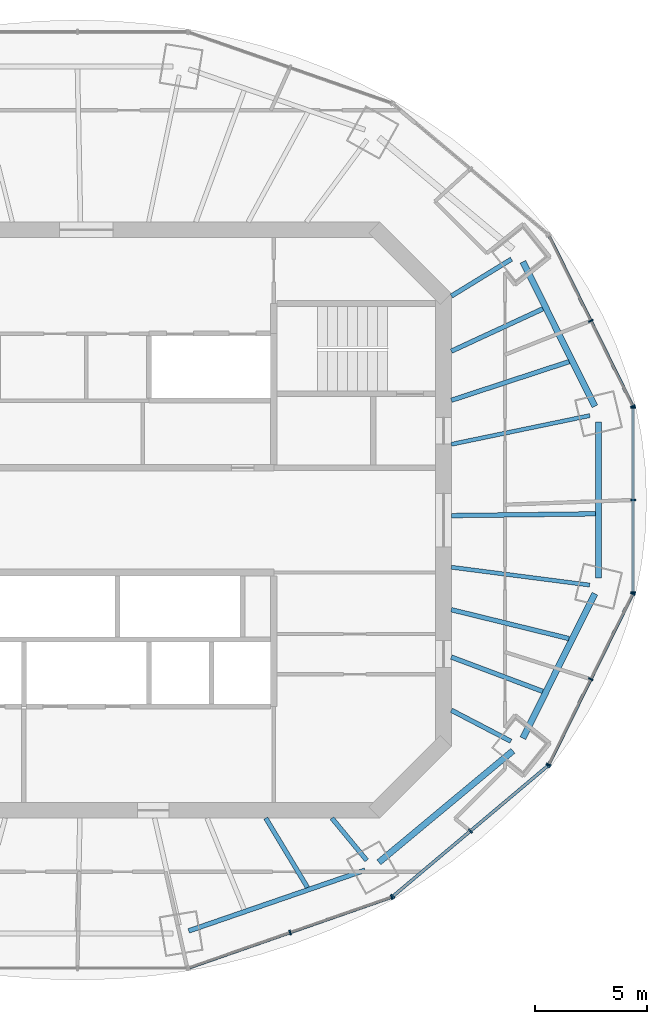
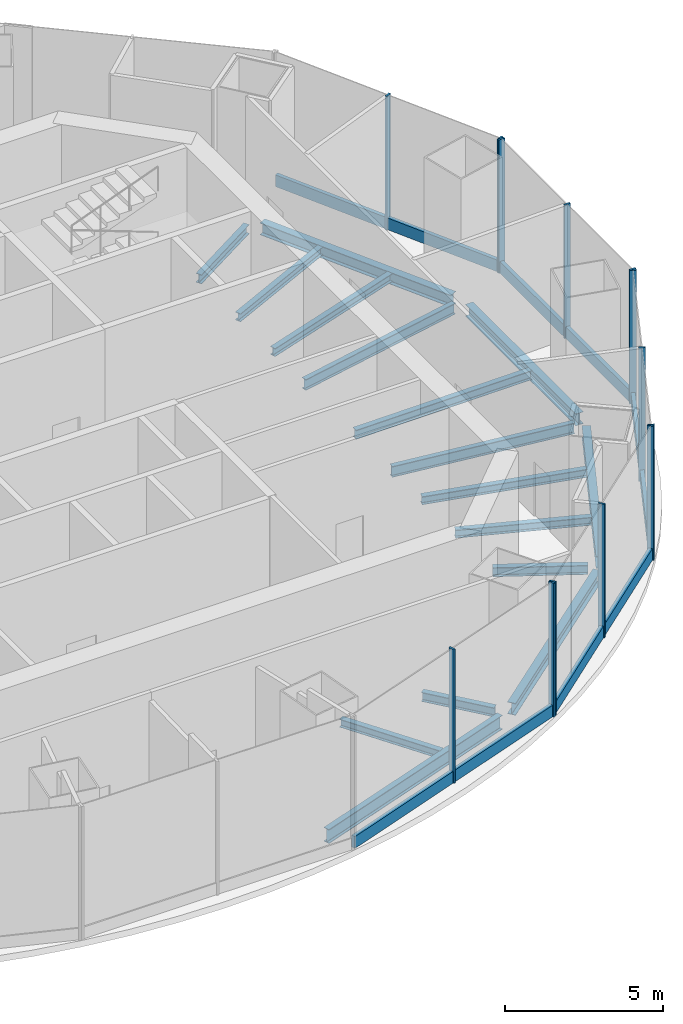
# One storey, part 4 of 11: 18 members, 16 beams, 5 elements without a shape of their own.
"""IFC4 building model written with IfcOpenShell, lengths in metres."""

from ifc_helpers import new_model, si_unit, direction, frame, origin, origin_2d, place, context, subcontext, project, spatial, rectangle, i_section, extrude, material, material_profile, profile_set, type_object, element, aggregate, save


model = new_model("IFC4")

# Units and contexts
model_context = context("Model", 3, precision=1e-05, world=origin(), true_north=direction((0.0, 1.0)))
body_context = subcontext(model_context, "Body", "Model", "MODEL_VIEW")
ifc_project = project(units=[si_unit("LENGTHUNIT", "METRE"), si_unit("AREAUNIT", "SQUARE_METRE"), si_unit("VOLUMEUNIT", "CUBIC_METRE"), si_unit("PLANEANGLEUNIT", "RADIAN"), si_unit("MASSUNIT", "GRAM", prefix="KILO")], contexts=[model_context])

# Site, building, storey
site_placement = place(None, origin())
site = spatial("IfcSite", under=ifc_project, at=site_placement, CompositionType="ELEMENT")
building_placement = place(site_placement, origin())
building = spatial("IfcBuilding", under=site, at=building_placement, Name="Marenthal Gate Tower", CompositionType="ELEMENT")
storey_placement = place(building_placement, frame((0.0, 0.0, 396.550048828125)))
storey = spatial("IfcBuildingStorey", under=building, at=storey_placement, Name="L90", CompositionType="ELEMENT", Elevation=396.550048828125)

# Curtain wall, members
ifc_material_1 = material(Name="Aluminium and glass", Category="aluminium")
curtain_wall_type = type_object("IfcCurtainWallType", Name="Curtain wall observation", PredefinedType="NOTDEFINED", material=ifc_material_1)
curtain_wall_1_placement = place(storey_placement, origin())
curtain_wall_1 = element("IfcCurtainWall", 1, at=curtain_wall_1_placement, inside=storey, type_object=curtain_wall_type, Name="Curtain wall L90 bay 1", PredefinedType="NOTDEFINED")
ifc_material_2 = material(Name="Aluminium", Category="aluminium")
ifc_material_profile_1 = material_profile(ifc_material_2, rectangle(XDim=0.219970703125, YDim=0.070068359375, at=origin_2d()), Name="70x220 aluminium mullion")
ifc_profile_set_1 = profile_set([ifc_material_profile_1], Name="Aluminium")
member_type_1 = type_object("IfcMemberType", Name="Mullion 70x220 observation", PredefinedType="MULLION", material=ifc_profile_set_1)
member_1_placement = place(storey_placement, frame((24.47900390625, 5.097900390625, 0.0), z_axis=(0.0, 0.0, 1.0), x_axis=(-0.897385793576, -0.441246798842, 0.0)))
member_1 = element("IfcMember", 2, at=member_1_placement, type_object=member_type_1, Name="Mullion L90 bay 1.1", PredefinedType="MULLION", context=body_context, shape_type="SweptSolid", body=[
    extrude(rectangle(XDim=0.219970703125, YDim=0.070068359375, at=origin_2d()), origin(), (0.0, 0.0, 1.0), 5.14990234375),
])
member_2_placement = place(storey_placement, frame((22.597412109375, 8.924560546875, 0.0), z_axis=(0.0, 0.0, 1.0), x_axis=(-0.897385793576, -0.441246798842, 0.0)))
member_2 = element("IfcMember", 3, at=member_2_placement, type_object=member_type_1, Name="Mullion L90 bay 1.2", PredefinedType="MULLION", context=body_context, shape_type="SweptSolid", body=[
    extrude(rectangle(XDim=0.219970703125, YDim=0.070068359375, at=origin_2d()), origin(), (0.0, 0.0, 1.0), 5.14990234375),
])

curtain_wall_2_placement = place(storey_placement, origin())
curtain_wall_2 = element("IfcCurtainWall", 4, at=curtain_wall_2_placement, inside=storey, type_object=curtain_wall_type, Name="Curtain wall L90 bay 13", PredefinedType="NOTDEFINED")
member_3_placement = place(storey_placement, frame((9.1259765625, -18.472900390625, 0.0), z_axis=(0.0, 0.0, 1.0), x_axis=(-0.329453888639, 0.944171666203, 0.0)))
member_3 = element("IfcMember", 5, at=member_3_placement, type_object=member_type_1, Name="Mullion L90 bay 13.2", PredefinedType="MULLION", context=body_context, shape_type="SweptSolid", body=[
    extrude(rectangle(XDim=0.219970703125, YDim=0.070068359375, at=origin_2d()), origin(), (0.0, 0.0, 1.0), 5.14990234375),
])
member_4_placement = place(storey_placement, frame((13.672119140625, -16.88671875, 0.0), z_axis=(0.0, 0.0, 1.0), x_axis=(-0.329453888639, 0.944171666203, 0.0)))
member_4 = element("IfcMember", 6, at=member_4_placement, type_object=member_type_1, Name="Mullion L90 bay 13.3", PredefinedType="MULLION", context=body_context, shape_type="SweptSolid", body=[
    extrude(rectangle(XDim=0.219970703125, YDim=0.070068359375, at=origin_2d()), origin(), (0.0, 0.0, 1.0), 5.14990234375),
])

curtain_wall_3_placement = place(storey_placement, origin())
curtain_wall_3 = element("IfcCurtainWall", 7, at=curtain_wall_3_placement, inside=storey, type_object=curtain_wall_type, Name="Curtain wall L90 bay 14", PredefinedType="NOTDEFINED")
member_5_placement = place(storey_placement, frame((13.723388671875, -16.857421875, 0.0), z_axis=(0.0, 0.0, 1.0), x_axis=(-0.644265226944, 0.764802142616, 0.0)))
member_5 = element("IfcMember", 8, at=member_5_placement, type_object=member_type_1, Name="Mullion L90 bay 14.1", PredefinedType="MULLION", context=body_context, shape_type="SweptSolid", body=[
    extrude(rectangle(XDim=0.219970703125, YDim=0.070068359375, at=origin_2d()), origin(), (0.0, 0.0, 1.0), 5.14990234375),
])
member_6_placement = place(storey_placement, frame((17.20166015625, -13.927490234375, 0.0), z_axis=(0.0, 0.0, 1.0), x_axis=(-0.644265226944, 0.764802142616, 0.0)))
member_6 = element("IfcMember", 9, at=member_6_placement, type_object=member_type_1, Name="Mullion L90 bay 14.2", PredefinedType="MULLION", context=body_context, shape_type="SweptSolid", body=[
    extrude(rectangle(XDim=0.219970703125, YDim=0.070068359375, at=origin_2d()), origin(), (0.0, 0.0, 1.0), 5.14990234375),
])
member_7_placement = place(storey_placement, frame((20.6796875, -10.997314453125, 0.0), z_axis=(0.0, 0.0, 1.0), x_axis=(-0.644265226944, 0.764802142616, 0.0)))
member_7 = element("IfcMember", 10, at=member_7_placement, type_object=member_type_1, Name="Mullion L90 bay 14.3", PredefinedType="MULLION", context=body_context, shape_type="SweptSolid", body=[
    extrude(rectangle(XDim=0.219970703125, YDim=0.070068359375, at=origin_2d()), origin(), (0.0, 0.0, 1.0), 5.14990234375),
])

curtain_wall_4_placement = place(storey_placement, origin())
curtain_wall_4 = element("IfcCurtainWall", 11, at=curtain_wall_4_placement, inside=storey, type_object=curtain_wall_type, Name="Curtain wall L90 bay 15", PredefinedType="NOTDEFINED")
member_8_placement = place(storey_placement, frame((20.7158203125, -10.951171875, 0.0), z_axis=(0.0, 0.0, 1.0), x_axis=(-0.897385793576, 0.441246798842, 0.0)))
member_8 = element("IfcMember", 12, at=member_8_placement, type_object=member_type_1, Name="Mullion L90 bay 15.1", PredefinedType="MULLION", context=body_context, shape_type="SweptSolid", body=[
    extrude(rectangle(XDim=0.219970703125, YDim=0.070068359375, at=origin_2d()), origin(), (0.0, 0.0, 1.0), 5.14990234375),
])
member_9_placement = place(storey_placement, frame((22.597412109375, -7.12451171875, 0.0), z_axis=(0.0, 0.0, 1.0), x_axis=(-0.897385793576, 0.441246798842, 0.0)))
member_9 = element("IfcMember", 13, at=member_9_placement, type_object=member_type_1, Name="Mullion L90 bay 15.2", PredefinedType="MULLION", context=body_context, shape_type="SweptSolid", body=[
    extrude(rectangle(XDim=0.219970703125, YDim=0.070068359375, at=origin_2d()), origin(), (0.0, 0.0, 1.0), 5.14990234375),
])
member_10_placement = place(storey_placement, frame((24.47900390625, -3.2978515625, 0.0), z_axis=(0.0, 0.0, 1.0), x_axis=(-0.897385793576, 0.441246798842, 0.0)))
member_10 = element("IfcMember", 14, at=member_10_placement, type_object=member_type_1, Name="Mullion L90 bay 15.3", PredefinedType="MULLION", context=body_context, shape_type="SweptSolid", body=[
    extrude(rectangle(XDim=0.219970703125, YDim=0.070068359375, at=origin_2d()), origin(), (0.0, 0.0, 1.0), 5.14990234375),
])

curtain_wall_5_placement = place(storey_placement, origin())
curtain_wall_5 = element("IfcCurtainWall", 15, at=curtain_wall_5_placement, inside=storey, type_object=curtain_wall_type, Name="Curtain wall L90 bay 16", PredefinedType="NOTDEFINED")
member_11_placement = place(storey_placement, frame((24.4921875, -3.240966796875, 0.0), z_axis=(0.0, 0.0, 1.0), x_axis=(-1.0, 0.0, 0.0)))
member_11 = element("IfcMember", 16, at=member_11_placement, type_object=member_type_1, Name="Mullion L90 bay 16.1", PredefinedType="MULLION", context=body_context, shape_type="SweptSolid", body=[
    extrude(rectangle(XDim=0.219970703125, YDim=0.070068359375, at=origin_2d()), origin(), (0.0, 0.0, 1.0), 5.14990234375),
])
member_12_placement = place(storey_placement, frame((24.4921875, 0.89990234375, 0.0), z_axis=(0.0, 0.0, 1.0), x_axis=(-1.0, 0.0, 0.0)))
member_12 = element("IfcMember", 17, at=member_12_placement, type_object=member_type_1, Name="Mullion L90 bay 16.2", PredefinedType="MULLION", context=body_context, shape_type="SweptSolid", body=[
    extrude(rectangle(XDim=0.219970703125, YDim=0.070068359375, at=origin_2d()), origin(), (0.0, 0.0, 1.0), 5.14990234375),
])
member_13_placement = place(storey_placement, frame((24.4921875, 5.041015625, 0.0), z_axis=(0.0, 0.0, 1.0), x_axis=(-1.0, 0.0, 0.0)))
member_13 = element("IfcMember", 18, at=member_13_placement, type_object=member_type_1, Name="Mullion L90 bay 16.3", PredefinedType="MULLION", context=body_context, shape_type="SweptSolid", body=[
    extrude(rectangle(XDim=0.219970703125, YDim=0.070068359375, at=origin_2d()), origin(), (0.0, 0.0, 1.0), 5.14990234375),
])

# Member
ifc_material_3 = material(Name="Aluminium", Category="aluminium")
ifc_material_profile_2 = material_profile(ifc_material_3, rectangle(XDim=0.139892578125, YDim=0.449951171875, at=origin_2d()), Name="140x450 aluminium transom")
ifc_profile_set_2 = profile_set([ifc_material_profile_2], Name="Aluminium")
member_type_2 = type_object("IfcMemberType", Name="Transom 140x450 observation", PredefinedType="USERDEFINED", material=ifc_profile_set_2)
member_14_placement = place(storey_placement, frame((24.463623046875, 5.12939453125, 0.224853515625), z_axis=(-0.441246116327, 0.89738612917, 0.0), x_axis=(-0.89738612917, -0.441246116327, 0.0)))
member_14 = element("IfcMember", 19, at=member_14_placement, type_object=member_type_2, Name="Transom L90 bay 1", ObjectType="TRANSOM", PredefinedType="USERDEFINED", context=body_context, shape_type="SweptSolid", body=[
    extrude(rectangle(XDim=0.139892578125, YDim=0.449951171875, at=origin_2d()), origin(), (0.0, 0.0, 1.0), 8.458251953125),
])

aggregate(curtain_wall_1, [member_1, member_2, member_14])

member_15_placement = place(storey_placement, frame((4.61279296875, -20.0478515625, 0.224853515625), z_axis=(0.944170071894, 0.329458457684, 0.0), x_axis=(-0.329458457684, 0.944170071894, 0.0)))
member_15 = element("IfcMember", 20, at=member_15_placement, type_object=member_type_2, Name="Transom L90 bay 13", ObjectType="TRANSOM", PredefinedType="USERDEFINED", context=body_context, shape_type="SweptSolid", body=[
    extrude(rectangle(XDim=0.139892578125, YDim=0.449951171875, at=origin_2d()), origin(), (0.0, 0.0, 1.0), 9.56005859375),
])

aggregate(curtain_wall_2, [member_3, member_4, member_15])

member_16_placement = place(storey_placement, frame((13.75, -16.8349609375, 0.224853515625), z_axis=(0.764811585379, 0.644254017349, 0.0), x_axis=(-0.644254017349, 0.764811585379, 0.0)))
member_16 = element("IfcMember", 21, at=member_16_placement, type_object=member_type_2, Name="Transom L90 bay 14", ObjectType="TRANSOM", PredefinedType="USERDEFINED", context=body_context, shape_type="SweptSolid", body=[
    extrude(rectangle(XDim=0.139892578125, YDim=0.449951171875, at=origin_2d()), origin(), (0.0, 0.0, 1.0), 9.02587890625),
])

aggregate(curtain_wall_3, [member_5, member_6, member_7, member_16])

member_17_placement = place(storey_placement, frame((20.7314453125, -10.919677734375, 0.224853515625), z_axis=(0.441246116327, 0.89738612917, 0.0), x_axis=(-0.89738612917, 0.441246116327, 0.0)))
member_17 = element("IfcMember", 22, at=member_17_placement, type_object=member_type_2, Name="Transom L90 bay 15", ObjectType="TRANSOM", PredefinedType="USERDEFINED", context=body_context, shape_type="SweptSolid", body=[
    extrude(rectangle(XDim=0.139892578125, YDim=0.449951171875, at=origin_2d()), origin(), (0.0, 0.0, 1.0), 8.458251953125),
])

aggregate(curtain_wall_4, [member_8, member_9, member_10, member_17])

member_18_placement = place(storey_placement, frame((24.4921875, -3.2060546875, 0.224853515625), z_axis=(0.0, 1.0, 0.0), x_axis=(-1.0, 0.0, 0.0)))
member_18 = element("IfcMember", 23, at=member_18_placement, type_object=member_type_2, Name="Transom L90 bay 16", ObjectType="TRANSOM", PredefinedType="USERDEFINED", context=body_context, shape_type="SweptSolid", body=[
    extrude(rectangle(XDim=0.139892578125, YDim=0.449951171875, at=origin_2d()), origin(), (0.0, 0.0, 1.0), 8.212158203125),
])

aggregate(curtain_wall_5, [member_11, member_12, member_13, member_18])

# Beams
ifc_material_4 = material(Name="Steel S355", Category="steel")
ifc_material_profile_3 = material_profile(ifc_material_4, i_section(OverallWidth=0.205078125, OverallDepth=0.31005859375, WebThickness=0.009521484375, FlangeThickness=0.016357421875, FilletRadius=0.0126953125, at=origin_2d()), Name="W310X74")
ifc_profile_set_3 = profile_set([ifc_material_profile_3], Name="Steel S355")
beam_type_1 = type_object("IfcBeamType", Name="W310X74 beam", PredefinedType="BEAM", material=ifc_profile_set_3)
beam_1_placement = place(storey_placement, frame((21.624267578125, 7.097900390625, -0.405029296875), z_axis=(-0.950124683801, -0.311870301941, 0.0), x_axis=(0.311870301941, -0.950124683801, 0.0)))
element("IfcBeam", 24, at=beam_1_placement, inside=storey, type_object=beam_type_1, Name="BM-L90-17", PredefinedType="BEAM", context=body_context, shape_type="SweptSolid", body=[
    extrude(i_section(OverallWidth=0.205078125, OverallDepth=0.31005859375, WebThickness=0.009521484375, FlangeThickness=0.016357421875, FilletRadius=0.0126953125, at=origin_2d()), origin(), (0.0, 0.0, 1.0), 5.551025390625),
])
beam_2_placement = place(storey_placement, frame((20.447021484375, 9.46240234375, -0.405029296875), z_axis=(-0.907528370112, -0.419990782569, 0.0), x_axis=(0.419990782569, -0.907528370112, 0.0)))
element("IfcBeam", 25, at=beam_2_placement, inside=storey, type_object=beam_type_1, Name="BM-L90-18", PredefinedType="BEAM", context=body_context, shape_type="SweptSolid", body=[
    extrude(i_section(OverallWidth=0.205078125, OverallDepth=0.31005859375, WebThickness=0.009521484375, FlangeThickness=0.016357421875, FilletRadius=0.0126953125, at=origin_2d()), origin(), (0.0, 0.0, 1.0), 4.514404296875),
])
beam_3_placement = place(storey_placement, frame((9.90673828125, -16.455810546875, -0.405029296875), z_axis=(-0.515753029838, 0.856737306421, 0.0), x_axis=(-0.856737306421, -0.515753029838, 0.0)))
element("IfcBeam", 26, at=beam_3_placement, inside=storey, type_object=beam_type_1, Name="BM-L90-34", PredefinedType="BEAM", context=body_context, shape_type="SweptSolid", body=[
    extrude(i_section(OverallWidth=0.205078125, OverallDepth=0.31005859375, WebThickness=0.009521484375, FlangeThickness=0.016357421875, FilletRadius=0.0126953125, at=origin_2d()), origin(), (0.0, 0.0, 1.0), 3.625),
])
beam_4_placement = place(storey_placement, frame((20.4423828125, -7.671875, -0.405029296875), z_axis=(-0.936232735919, 0.351380511972, 0.0), x_axis=(-0.351380511972, -0.936232735919, 0.0)))
element("IfcBeam", 27, at=beam_4_placement, inside=storey, type_object=beam_type_1, Name="BM-L90-35", PredefinedType="BEAM", context=body_context, shape_type="SweptSolid", body=[
    extrude(i_section(OverallWidth=0.205078125, OverallDepth=0.31005859375, WebThickness=0.009521484375, FlangeThickness=0.016357421875, FilletRadius=0.0126953125, at=origin_2d()), origin(), (0.0, 0.0, 1.0), 4.37109375),
])
beam_5_placement = place(storey_placement, frame((21.619384765625, -5.307861328125, -0.405029296875), z_axis=(-0.971158178478, 0.238436138987, 0.0), x_axis=(-0.238436138987, -0.971158178478, 0.0)))
element("IfcBeam", 28, at=beam_5_placement, inside=storey, type_object=beam_type_1, Name="BM-L90-36", PredefinedType="BEAM", context=body_context, shape_type="SweptSolid", body=[
    extrude(i_section(OverallWidth=0.205078125, OverallDepth=0.31005859375, WebThickness=0.009521484375, FlangeThickness=0.016357421875, FilletRadius=0.0126953125, at=origin_2d()), origin(), (0.0, 0.0, 1.0), 5.42578125),
])
ifc_material_5 = material(Name="Steel S355", Category="steel")
ifc_material_profile_4 = material_profile(ifc_material_5, i_section(OverallWidth=0.205078125, OverallDepth=0.35302734375, WebThickness=0.009521484375, FlangeThickness=0.016845703125, FilletRadius=0.014892578125, at=origin_2d()), Name="W360X79")
ifc_profile_set_4 = profile_set([ifc_material_profile_4], Name="Steel S355")
beam_type_2 = type_object("IfcBeamType", Name="W360X79 beam", PredefinedType="BEAM", material=ifc_profile_set_4)
beam_6_placement = place(storey_placement, frame((19.0419921875, 11.687255859375, -0.426513671875), z_axis=(-0.852286702613, -0.523074924413, 0.0), x_axis=(0.523074924413, -0.852286702613, 0.0)))
element("IfcBeam", 29, at=beam_6_placement, inside=storey, type_object=beam_type_2, Name="BM-L90-02", PredefinedType="BEAM", context=body_context, shape_type="SweptSolid", body=[
    extrude(i_section(OverallWidth=0.205078125, OverallDepth=0.35302734375, WebThickness=0.009521484375, FlangeThickness=0.016845703125, FilletRadius=0.014892578125, at=origin_2d()), origin(), (0.0, 0.0, 1.0), 3.158447265625),
])
beam_7_placement = place(storey_placement, frame((12.55859375, -15.242919921875, -0.426513671875), z_axis=(-0.635836353216, 0.771823899558, 0.0), x_axis=(-0.771823899558, -0.635836353216, 0.0)))
element("IfcBeam", 30, at=beam_7_placement, inside=storey, type_object=beam_type_2, Name="BM-L90-14", PredefinedType="BEAM", context=body_context, shape_type="SweptSolid", body=[
    extrude(i_section(OverallWidth=0.205078125, OverallDepth=0.35302734375, WebThickness=0.009521484375, FlangeThickness=0.016845703125, FilletRadius=0.014892578125, at=origin_2d()), origin(), (0.0, 0.0, 1.0), 2.452392578125),
])
beam_8_placement = place(storey_placement, frame((19.0185546875, -9.9072265625, -0.426513671875), z_axis=(-0.88687114126, 0.462016859866, 0.0), x_axis=(-0.462016859866, -0.88687114126, 0.0)))
element("IfcBeam", 31, at=beam_8_placement, inside=storey, type_object=beam_type_2, Name="BM-L90-15", PredefinedType="BEAM", context=body_context, shape_type="SweptSolid", body=[
    extrude(i_section(OverallWidth=0.205078125, OverallDepth=0.35302734375, WebThickness=0.009521484375, FlangeThickness=0.016845703125, FilletRadius=0.014892578125, at=origin_2d()), origin(), (0.0, 0.0, 1.0), 3.0087890625),
])
beam_9_placement = place(storey_placement, frame((22.80322265625, 0.2802734375, -0.426513671875), z_axis=(-0.999924416424, -0.012294772826, 0.0), x_axis=(0.012294772826, -0.999924416424, 0.0)))
element("IfcBeam", 32, at=beam_9_placement, inside=storey, type_object=beam_type_2, Name="BM-L90-37", PredefinedType="BEAM", context=body_context, shape_type="SweptSolid", body=[
    extrude(i_section(OverallWidth=0.205078125, OverallDepth=0.35302734375, WebThickness=0.009521484375, FlangeThickness=0.016845703125, FilletRadius=0.014892578125, at=origin_2d()), origin(), (0.0, 0.0, 1.0), 6.45361328125),
])
ifc_material_6 = material(Name="Steel S355", Category="steel")
ifc_material_profile_5 = material_profile(ifc_material_6, i_section(OverallWidth=0.180908203125, OverallDepth=0.4169921875, WebThickness=0.010986328125, FlangeThickness=0.018310546875, FilletRadius=0.01025390625, at=origin_2d()), Name="W410X85")
ifc_profile_set_5 = profile_set([ifc_material_profile_5], Name="Steel S355")
beam_type_3 = type_object("IfcBeamType", Name="W410X85 beam", PredefinedType="BEAM", material=ifc_profile_set_5)
beam_10_placement = place(storey_placement, frame((22.55078125, 4.681396484375, -0.45849609375), z_axis=(-0.979128337285, -0.203242955908, 0.0), x_axis=(0.203242955908, -0.979128337285, 0.0)))
element("IfcBeam", 33, at=beam_10_placement, inside=storey, type_object=beam_type_3, Name="BM-L90-01", PredefinedType="BEAM", context=body_context, shape_type="SweptSolid", body=[
    extrude(i_section(OverallWidth=0.180908203125, OverallDepth=0.4169921875, WebThickness=0.010986328125, FlangeThickness=0.018310546875, FilletRadius=0.01025390625, at=origin_2d()), origin(), (0.0, 0.0, 1.0), 6.332763671875),
])
beam_11_placement = place(storey_placement, frame((22.541015625, -2.910888671875, -0.45849609375), z_axis=(-0.991762968322, 0.128086746638, 0.0), x_axis=(-0.128086746638, -0.991762968322, 0.0)))
element("IfcBeam", 34, at=beam_11_placement, inside=storey, type_object=beam_type_3, Name="BM-L90-16", PredefinedType="BEAM", context=body_context, shape_type="SweptSolid", body=[
    extrude(i_section(OverallWidth=0.180908203125, OverallDepth=0.4169921875, WebThickness=0.010986328125, FlangeThickness=0.018310546875, FilletRadius=0.01025390625, at=origin_2d()), origin(), (0.0, 0.0, 1.0), 6.242431640625),
])
ifc_material_7 = material(Name="Steel S355", Category="steel")
ifc_material_profile_6 = material_profile(ifc_material_7, i_section(OverallWidth=0.279052734375, OverallDepth=0.4619140625, WebThickness=0.0107421875, FlangeThickness=0.017333984375, FilletRadius=0.010009765625, at=origin_2d()), Name="W460X113")
ifc_profile_set_6 = profile_set([ifc_material_profile_6], Name="Steel S355")
beam_type_4 = type_object("IfcBeamType", Name="W460X113 beam", PredefinedType="BEAM", material=ifc_profile_set_6)
beam_12_placement = place(storey_placement, frame((22.776611328125, 5.09619140625, -0.48095703125), z_axis=(-0.445686804831, 0.895188958824, 0.0), x_axis=(-0.895188958824, -0.445686804831, 0.0)))
element("IfcBeam", 35, at=beam_12_placement, inside=storey, type_object=beam_type_4, Name="BM-L90-38", PredefinedType="BEAM", context=body_context, shape_type="SweptSolid", body=[
    extrude(i_section(OverallWidth=0.279052734375, OverallDepth=0.4619140625, WebThickness=0.0107421875, FlangeThickness=0.017333984375, FilletRadius=0.010009765625, at=origin_2d()), origin(), (0.0, 0.0, 1.0), 7.230712890625),
])
beam_13_placement = place(storey_placement, frame((13.103271484375, -15.32958984375, -0.48095703125), z_axis=(0.768754019675, 0.63954457017, 0.0), x_axis=(-0.63954457017, 0.768754019675, 0.0)))
element("IfcBeam", 36, at=beam_13_placement, inside=storey, type_object=beam_type_4, Name="BM-L90-51", PredefinedType="BEAM", context=body_context, shape_type="SweptSolid", body=[
    extrude(i_section(OverallWidth=0.279052734375, OverallDepth=0.4619140625, WebThickness=0.0107421875, FlangeThickness=0.017333984375, FilletRadius=0.010009765625, at=origin_2d()), origin(), (0.0, 0.0, 1.0), 7.809326171875),
])
beam_14_placement = place(storey_placement, frame((19.553955078125, -9.76904296875, -0.48095703125), z_axis=(0.445686804831, 0.895188958824, 0.0), x_axis=(-0.895188958824, 0.445686804831, 0.0)))
element("IfcBeam", 37, at=beam_14_placement, inside=storey, type_object=beam_type_4, Name="BM-L90-52", PredefinedType="BEAM", context=body_context, shape_type="SweptSolid", body=[
    extrude(i_section(OverallWidth=0.279052734375, OverallDepth=0.4619140625, WebThickness=0.0107421875, FlangeThickness=0.017333984375, FilletRadius=0.010009765625, at=origin_2d()), origin(), (0.0, 0.0, 1.0), 7.230712890625),
])
beam_15_placement = place(storey_placement, frame((22.942626953125, -2.5888671875, -0.48095703125), z_axis=(0.0, 1.0, 0.0), x_axis=(-1.0, 0.0, 0.0)))
element("IfcBeam", 38, at=beam_15_placement, inside=storey, type_object=beam_type_4, Name="BM-L90-53", PredefinedType="BEAM", context=body_context, shape_type="SweptSolid", body=[
    extrude(i_section(OverallWidth=0.279052734375, OverallDepth=0.4619140625, WebThickness=0.0107421875, FlangeThickness=0.017333984375, FilletRadius=0.010009765625, at=origin_2d()), origin(), (0.0, 0.0, 1.0), 6.977783203125),
])
ifc_material_8 = material(Name="Steel S355", Category="steel")
ifc_material_profile_7 = material_profile(ifc_material_8, i_section(OverallWidth=0.2119140625, OverallDepth=0.5439453125, WebThickness=0.01318359375, FlangeThickness=0.021240234375, FilletRadius=0.0126953125, at=origin_2d()), Name="W530X123")
ifc_profile_set_7 = profile_set([ifc_material_profile_7], Name="Steel S355")
beam_type_5 = type_object("IfcBeamType", Name="W530X123 beam", PredefinedType="BEAM", material=ifc_profile_set_7)
beam_16_placement = place(storey_placement, frame((4.58544921875, -18.401611328125, -0.52197265625), z_axis=(0.94543573541, 0.325808640478, 0.0), x_axis=(-0.325808640478, 0.94543573541, 0.0)))
element("IfcBeam", 39, at=beam_16_placement, inside=storey, type_object=beam_type_5, Name="BM-L90-50", PredefinedType="BEAM", context=body_context, shape_type="SweptSolid", body=[
    extrude(i_section(OverallWidth=0.2119140625, OverallDepth=0.5439453125, WebThickness=0.01318359375, FlangeThickness=0.021240234375, FilletRadius=0.0126953125, at=origin_2d()), origin(), (0.0, 0.0, 1.0), 8.34912109375),
])

save(model, "model.ifc")
